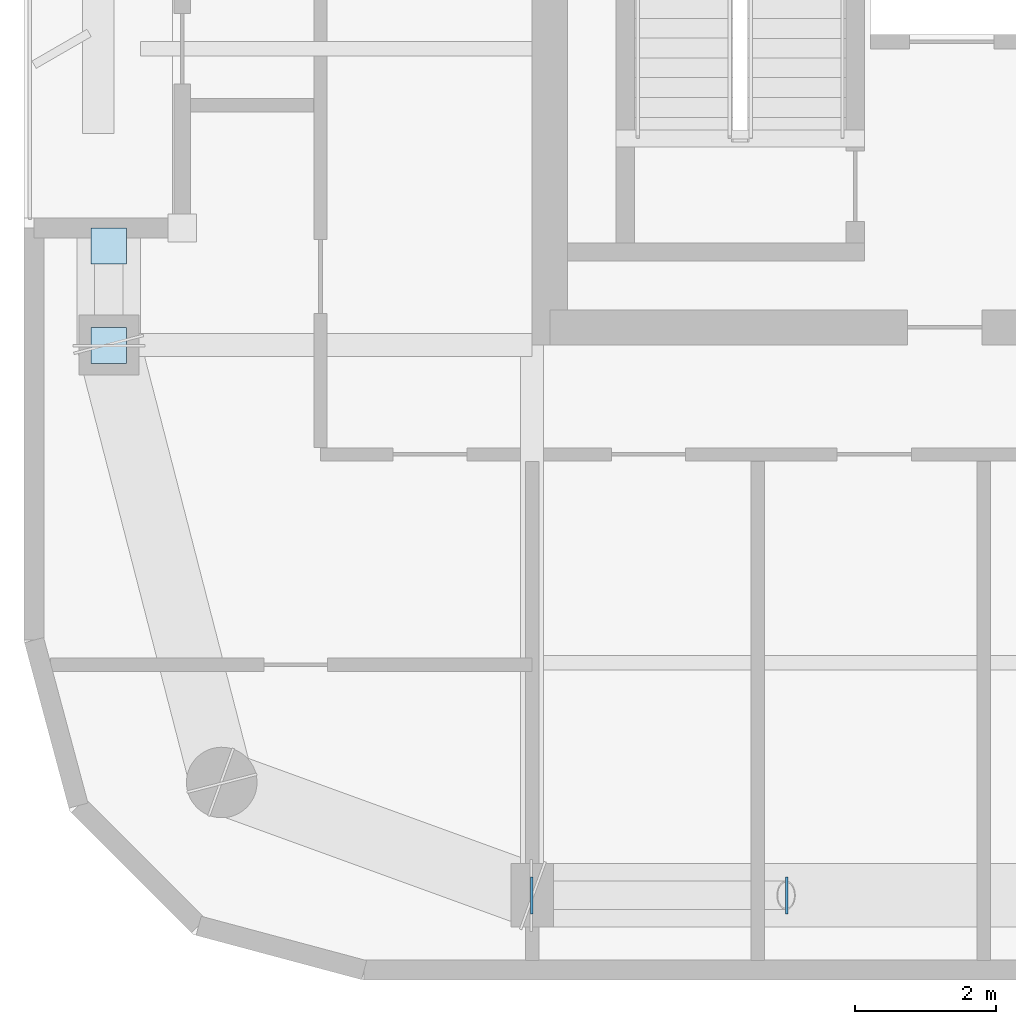
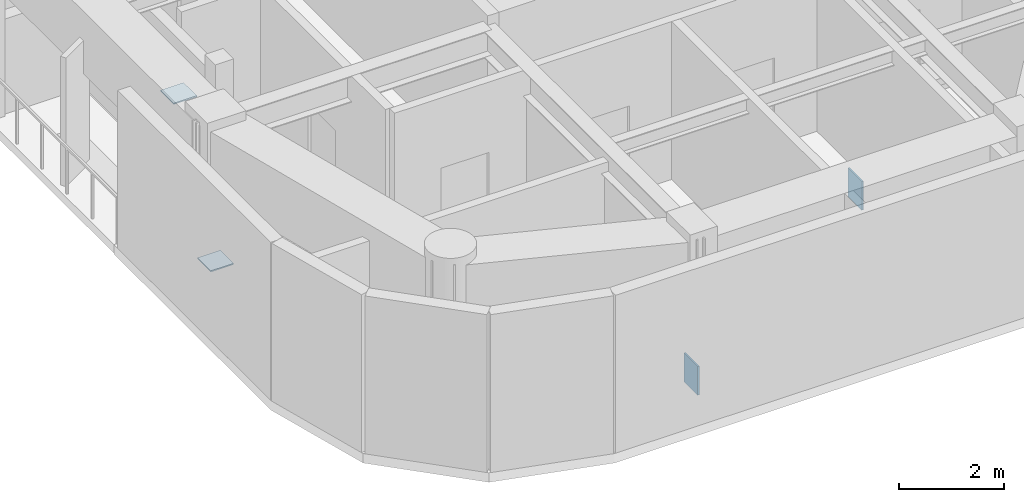
# One storey, part 8 of 16: 4 plates.
"""IFC4 building model written with IfcOpenShell, lengths in metres."""

from ifc_helpers import new_model, si_unit, direction, frame, origin, origin_2d, place, context, subcontext, project, spatial, rectangle, extrude, material, layer, layer_set, type_object, element, save


model = new_model("IFC4")

# Units and contexts
model_context = context("Model", 3, precision=1e-05, world=origin(), true_north=direction((0.0, 1.0)))
body_context = subcontext(model_context, "Body", "Model", "MODEL_VIEW")
ifc_project = project(units=[si_unit("LENGTHUNIT", "METRE"), si_unit("AREAUNIT", "SQUARE_METRE"), si_unit("VOLUMEUNIT", "CUBIC_METRE"), si_unit("PLANEANGLEUNIT", "RADIAN"), si_unit("MASSUNIT", "GRAM", prefix="KILO")], contexts=[model_context])

# Site, building, storey
site_placement = place(None, origin())
site = spatial("IfcSite", under=ifc_project, at=site_placement, CompositionType="ELEMENT")
building_placement = place(site_placement, origin())
building = spatial("IfcBuilding", under=site, at=building_placement, Name="Kiyonajd Concourse Tower", CompositionType="ELEMENT")
storey_placement = place(building_placement, frame((0.0, 0.0, 346.5)))
storey = spatial("IfcBuildingStorey", under=building, at=storey_placement, Name="L87", CompositionType="ELEMENT", Elevation=346.5)

# Plates
ifc_material = material(Name="Steel ASTM A572 Grade 50", Category="steel")
ifc_layer = layer(ifc_material, 0.028076171875)
ifc_layer_set = layer_set([ifc_layer], Name="Steel ASTM A572 Grade 50")
plate_type = type_object("IfcPlateType", Name="PL-CAP-450", PredefinedType="USERDEFINED", material=ifc_layer_set)
for number, where, z_axis, x_axis, name in (
    (1, (32.3916015625, 19.800048828125, -0.04248046875), (0.0, 0.0, 1.0), (-1.0, 0.0, 0.0), "L87 Hollow Brace End Cap Plate PBS"),
    (2, (36.00830078125, 19.800048828125, 3.001708984375), (0.0, 0.0, 1.0), (1.0, 0.0, 0.0), "L87 Hollow Brace Top Cap Plate PBS"),
):
    element("IfcPlate", number, at=place(storey_placement, frame(where, z_axis=z_axis, x_axis=x_axis)), inside=storey, type_object=plate_type, Name=name, ObjectType="CAP PLATE", PredefinedType="USERDEFINED", context=body_context, shape_type="SweptSolid", body=[
        extrude(rectangle(XDim=0.035888671875, YDim=0.52587890625, at=origin_2d()), origin(), (0.0, 0.0, 1.0), 0.6708984375),
    ])
for number, where, z_axis, x_axis, name in (
    (3, (26.39990234375, 27.595458984375, 0.27587890625), (0.0, 0.0, 1.0), (1.0, 0.0, 0.0), "L87 Hollow Brace End Cap Plate PBW"),
    (4, (26.39990234375, 29.004638671875, 3.326171875), (0.0, 0.0, 1.0), (1.0, 0.0, 0.0), "L87 Hollow Brace Top Cap Plate PBW"),
):
    element("IfcPlate", number, at=place(storey_placement, frame(where, z_axis=z_axis, x_axis=x_axis)), inside=storey, type_object=plate_type, Name=name, ObjectType="CAP PLATE", PredefinedType="USERDEFINED", context=body_context, shape_type="SweptSolid", body=[
        extrude(rectangle(XDim=0.506103515625, YDim=0.506103515625, at=origin_2d()), origin(), (0.0, 0.0, 1.0), 0.028076171875),
    ])

save(model, "model.ifc")
